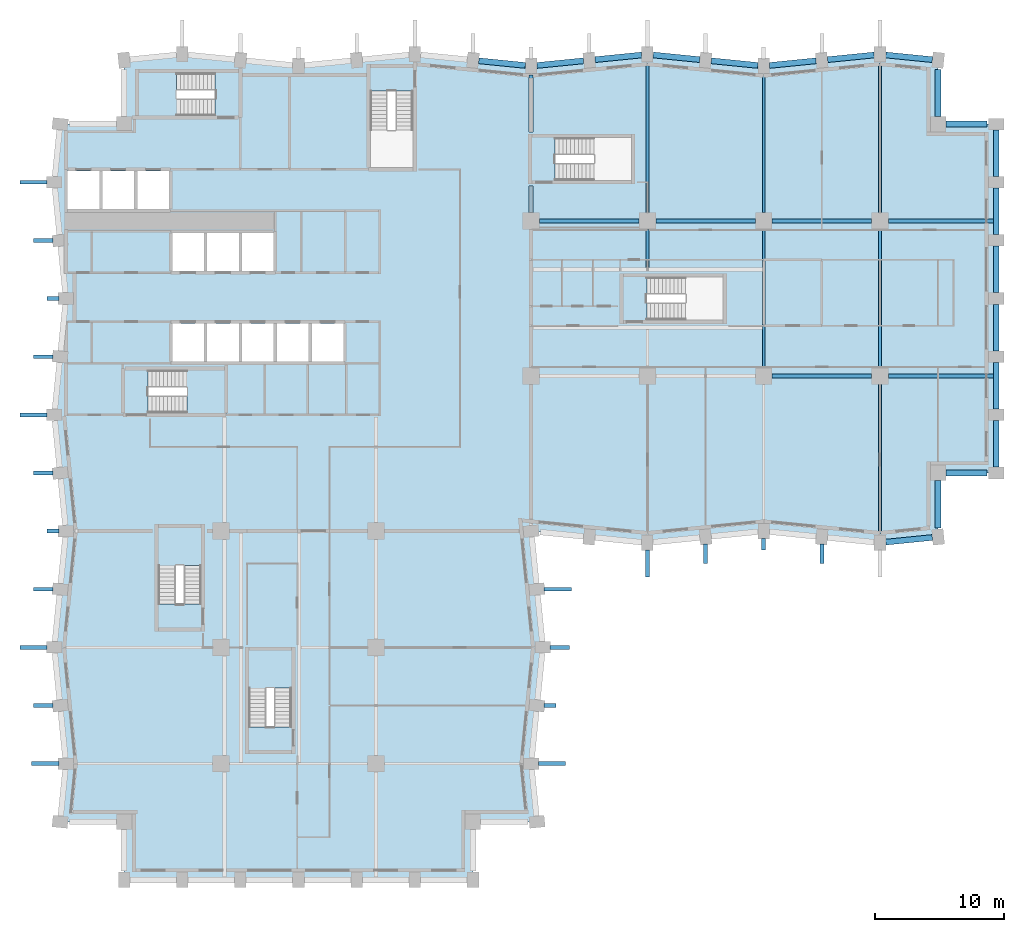
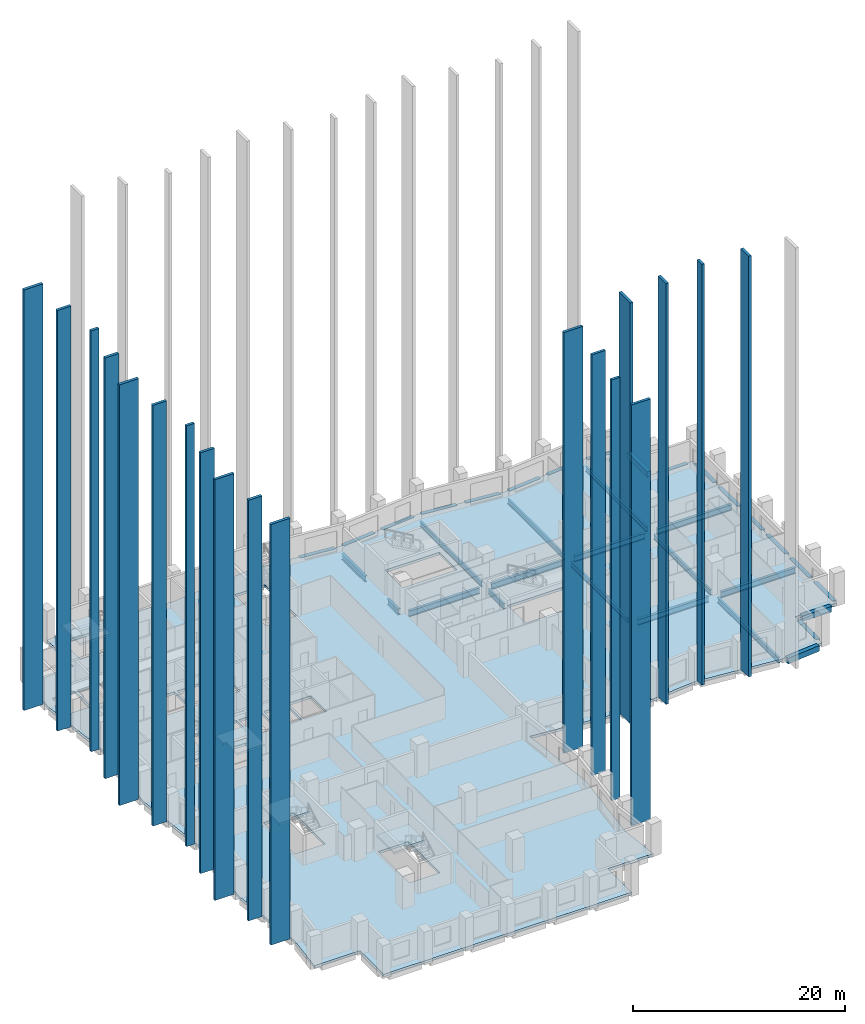
# One storey, part 2 of 12: 34 beams, 19 plates, 5 slabs, 4 elements without a shape of their own.
"""IFC4 building model written with IfcOpenShell, lengths in metres."""

from ifc_helpers import new_model, si_unit, direction, frame, origin, origin_2d, place, context, subcontext, project, spatial, polyline, rectangle, i_section, outline, extrude, material, layer, layer_set, material_profile, profile_set, type_object, element, aggregate, save


model = new_model("IFC4")

# Units and contexts
model_context = context("Model", 3, precision=1e-05, world=origin(), true_north=direction((0.0, 1.0)))
body_context = subcontext(model_context, "Body", "Model", "MODEL_VIEW")
ifc_project = project(units=[si_unit("LENGTHUNIT", "METRE"), si_unit("AREAUNIT", "SQUARE_METRE"), si_unit("VOLUMEUNIT", "CUBIC_METRE"), si_unit("PLANEANGLEUNIT", "RADIAN"), si_unit("MASSUNIT", "GRAM", prefix="KILO")], contexts=[model_context])

# Site, building, storey
site_placement = place(None, origin())
site = spatial("IfcSite", under=ifc_project, at=site_placement, CompositionType="ELEMENT")
building_placement = place(site_placement, origin())
building = spatial("IfcBuilding", under=site, at=building_placement, Name="Brondeck Convention Tower", CompositionType="ELEMENT")
storey_placement = place(building_placement, frame((0.0, 0.0, 88.5)))
storey = spatial("IfcBuildingStorey", under=building, at=storey_placement, Name="L20", CompositionType="ELEMENT", Elevation=88.5)

# Beams
ifc_material_1 = material(Name="Steel S355", Category="steel")
ifc_material_profile_1 = material_profile(ifc_material_1, i_section(OverallWidth=0.219970703125, OverallDepth=0.60009765625, WebThickness=0.011962890625, FlangeThickness=0.01904296875, FilletRadius=0.02392578125, at=origin_2d()), Name="IPE 600")
ifc_profile_set_1 = profile_set([ifc_material_profile_1], Name="Steel S355")
beam_type_1 = type_object("IfcBeamType", Name="Floor beam IPE 600", PredefinedType="BEAM", material=ifc_profile_set_1)
beam_1_placement = place(storey_placement, frame((45.0, 51.64990234375, -0.60009765625), z_axis=(0.0, 1.0, 0.0), x_axis=(-1.0, 0.0, 0.0)))
element("IfcBeam", 1, at=beam_1_placement, inside=storey, type_object=beam_type_1, Name="STR-FB-L20-002", PredefinedType="BEAM", context=body_context, shape_type="SweptSolid", body=[
    extrude(i_section(OverallWidth=0.219970703125, OverallDepth=0.60009765625, WebThickness=0.011962890625, FlangeThickness=0.01904296875, FilletRadius=0.02392578125, at=origin_2d()), origin(), (0.0, 0.0, 1.0), 11.550048828125),
])
beam_2_placement = place(storey_placement, frame((54.0, 39.64990234375, -0.60009765625), z_axis=(0.0, 1.0, 0.0), x_axis=(-1.0, 0.0, 0.0)))
element("IfcBeam", 2, at=beam_2_placement, inside=storey, type_object=beam_type_1, Name="STR-FB-L20-004", PredefinedType="BEAM", context=body_context, shape_type="SweptSolid", body=[
    extrude(i_section(OverallWidth=0.219970703125, OverallDepth=0.60009765625, WebThickness=0.011962890625, FlangeThickness=0.01904296875, FilletRadius=0.02392578125, at=origin_2d()), origin(), (0.0, 0.0, 1.0), 10.7001953125),
])
beam_3_placement = place(storey_placement, frame((54.0, 51.64990234375, -0.60009765625), z_axis=(0.0, 1.0, 0.0), x_axis=(-1.0, 0.0, 0.0)))
element("IfcBeam", 3, at=beam_3_placement, inside=storey, type_object=beam_type_1, Name="STR-FB-L20-005", PredefinedType="BEAM", context=body_context, shape_type="SweptSolid", body=[
    extrude(i_section(OverallWidth=0.219970703125, OverallDepth=0.60009765625, WebThickness=0.011962890625, FlangeThickness=0.01904296875, FilletRadius=0.02392578125, at=origin_2d()), origin(), (0.0, 0.0, 1.0), 10.650146484375),
])
beam_4_placement = place(storey_placement, frame((63.0, 26.800048828125, -0.60009765625), z_axis=(0.0, 1.0, 0.0), x_axis=(-1.0, 0.0, 0.0)))
element("IfcBeam", 4, at=beam_4_placement, inside=storey, type_object=beam_type_1, Name="STR-FB-L20-006", PredefinedType="BEAM", context=body_context, shape_type="SweptSolid", body=[
    extrude(i_section(OverallWidth=0.219970703125, OverallDepth=0.60009765625, WebThickness=0.011962890625, FlangeThickness=0.01904296875, FilletRadius=0.02392578125, at=origin_2d()), origin(), (0.0, 0.0, 1.0), 11.550048828125),
])
beam_5_placement = place(storey_placement, frame((63.0, 39.64990234375, -0.60009765625), z_axis=(0.0, 1.0, 0.0), x_axis=(-1.0, 0.0, 0.0)))
element("IfcBeam", 5, at=beam_5_placement, inside=storey, type_object=beam_type_1, Name="STR-FB-L20-007", PredefinedType="BEAM", context=body_context, shape_type="SweptSolid", body=[
    extrude(i_section(OverallWidth=0.219970703125, OverallDepth=0.60009765625, WebThickness=0.011962890625, FlangeThickness=0.01904296875, FilletRadius=0.02392578125, at=origin_2d()), origin(), (0.0, 0.0, 1.0), 10.7001953125),
])
beam_6_placement = place(storey_placement, frame((63.0, 51.64990234375, -0.60009765625), z_axis=(0.0, 1.0, 0.0), x_axis=(-1.0, 0.0, 0.0)))
element("IfcBeam", 6, at=beam_6_placement, inside=storey, type_object=beam_type_1, Name="STR-FB-L20-008", PredefinedType="BEAM", context=body_context, shape_type="SweptSolid", body=[
    extrude(i_section(OverallWidth=0.219970703125, OverallDepth=0.60009765625, WebThickness=0.011962890625, FlangeThickness=0.01904296875, FilletRadius=0.02392578125, at=origin_2d()), origin(), (0.0, 0.0, 1.0), 11.550048828125),
])
beam_7_placement = place(storey_placement, frame((45.0, 47.39990234375, -0.60009765625), z_axis=(0.0, 1.0, 0.0), x_axis=(-1.0, 0.0, 0.0)))
element("IfcBeam", 7, at=beam_7_placement, inside=storey, type_object=beam_type_1, Name="STR-FB-L20-015", PredefinedType="BEAM", context=body_context, shape_type="SweptSolid", body=[
    extrude(i_section(OverallWidth=0.219970703125, OverallDepth=0.60009765625, WebThickness=0.011962890625, FlangeThickness=0.01904296875, FilletRadius=0.02392578125, at=origin_2d()), origin(), (0.0, 0.0, 1.0), 2.9501953125),
])
ifc_material_profile_2 = material_profile(ifc_material_1, i_section(OverallWidth=0.300048828125, OverallDepth=0.699951171875, WebThickness=0.01708984375, FlangeThickness=0.031982421875, FilletRadius=0.027099609375, at=origin_2d()), Name="HEB 700")
ifc_profile_set_2 = profile_set([ifc_material_profile_2], Name="Steel S355")
beam_type_2 = type_object("IfcBeamType", Name="Girder HEB 700", PredefinedType="BEAM", material=ifc_profile_set_2)
beam_8_placement = place(storey_placement, frame((54.64990234375, 39.0, -0.64990234375), z_axis=(1.0, 0.0, 0.0), x_axis=(0.0, 1.0, 0.0)))
element("IfcBeam", 8, at=beam_8_placement, inside=storey, type_object=beam_type_2, Name="STR-GR-L20-003", PredefinedType="BEAM", context=body_context, shape_type="SweptSolid", body=[
    extrude(i_section(OverallWidth=0.300048828125, OverallDepth=0.699951171875, WebThickness=0.01708984375, FlangeThickness=0.031982421875, FilletRadius=0.027099609375, at=origin_2d()), origin(), (0.0, 0.0, 1.0), 7.7001953125),
])
beam_9_placement = place(storey_placement, frame((63.64990234375, 39.0, -0.64990234375), z_axis=(1.0, 0.0, 0.0), x_axis=(0.0, 1.0, 0.0)))
element("IfcBeam", 9, at=beam_9_placement, inside=storey, type_object=beam_type_2, Name="STR-GR-L20-004", PredefinedType="BEAM", context=body_context, shape_type="SweptSolid", body=[
    extrude(i_section(OverallWidth=0.300048828125, OverallDepth=0.699951171875, WebThickness=0.01708984375, FlangeThickness=0.031982421875, FilletRadius=0.027099609375, at=origin_2d()), origin(), (0.0, 0.0, 1.0), 8.125),
])
for number, where, z_axis, x_axis, name in (
    (10, (36.64990234375, 51.0, -0.64990234375), (1.0, 0.0, 0.0), (0.0, 1.0, 0.0), "STR-GR-L20-005"),
    (11, (45.64990234375, 51.0, -0.64990234375), (1.0, 0.0, 0.0), (0.0, 1.0, 0.0), "STR-GR-L20-006"),
    (12, (54.64990234375, 51.0, -0.64990234375), (1.0, 0.0, 0.0), (0.0, 1.0, 0.0), "STR-GR-L20-007"),
):
    element("IfcBeam", number, at=place(storey_placement, frame(where, z_axis=z_axis, x_axis=x_axis)), inside=storey, type_object=beam_type_2, Name=name, PredefinedType="BEAM", context=body_context, shape_type="SweptSolid", body=[
        extrude(i_section(OverallWidth=0.300048828125, OverallDepth=0.699951171875, WebThickness=0.01708984375, FlangeThickness=0.031982421875, FilletRadius=0.027099609375, at=origin_2d()), origin(), (0.0, 0.0, 1.0), 7.7001953125),
    ])
beam_10_placement = place(storey_placement, frame((63.64990234375, 51.0, -0.64990234375), z_axis=(1.0, 0.0, 0.0), x_axis=(0.0, 1.0, 0.0)))
element("IfcBeam", 13, at=beam_10_placement, inside=storey, type_object=beam_type_2, Name="STR-GR-L20-008", PredefinedType="BEAM", context=body_context, shape_type="SweptSolid", body=[
    extrude(i_section(OverallWidth=0.300048828125, OverallDepth=0.699951171875, WebThickness=0.01708984375, FlangeThickness=0.031982421875, FilletRadius=0.027099609375, at=origin_2d()), origin(), (0.0, 0.0, 1.0), 8.125),
])
beam_11_placement = place(storey_placement, frame((36.0, 51.64990234375, -0.64990234375), z_axis=(0.0, 1.0, 0.0), x_axis=(-1.0, 0.0, 0.0)))
element("IfcBeam", 14, at=beam_11_placement, inside=storey, type_object=beam_type_2, Name="STR-GR-L20-011", PredefinedType="BEAM", context=body_context, shape_type="SweptSolid", body=[
    extrude(i_section(OverallWidth=0.300048828125, OverallDepth=0.699951171875, WebThickness=0.01708984375, FlangeThickness=0.031982421875, FilletRadius=0.027099609375, at=origin_2d()), origin(), (0.0, 0.0, 1.0), 2.050048828125),
])
beam_12_placement = place(storey_placement, frame((36.0, 57.89990234375, -0.64990234375), z_axis=(0.0, 1.0, 0.0), x_axis=(-1.0, 0.0, 0.0)))
element("IfcBeam", 15, at=beam_12_placement, inside=storey, type_object=beam_type_2, Name="STR-GR-L20-012", PredefinedType="BEAM", context=body_context, shape_type="SweptSolid", body=[
    extrude(i_section(OverallWidth=0.300048828125, OverallDepth=0.699951171875, WebThickness=0.01708984375, FlangeThickness=0.031982421875, FilletRadius=0.027099609375, at=origin_2d()), origin(), (0.0, 0.0, 1.0), 4.400146484375),
])
ifc_material_2 = material(Name="Concrete C70/85", Category="concrete")
ifc_material_profile_3 = material_profile(ifc_material_2, rectangle(XDim=0.449951171875, YDim=0.64990234375, at=origin_2d()), Name="Precast spandrel 450x650 Concrete C70/85")
ifc_profile_set_3 = profile_set([ifc_material_profile_3], Name="Concrete C70/85")
beam_type_3 = type_object("IfcBeamType", Name="Precast spandrel 450x650 Concrete C70/85", PredefinedType="SPANDREL", material=ifc_profile_set_3)
beam_13_placement = place(storey_placement, frame((63.449951171875, 26.14501953125, -0.324951171875), z_axis=(0.995040528141, 0.099470334057, 0.0), x_axis=(-0.099470334057, 0.995040528141, 0.0)))
element("IfcBeam", 16, at=beam_13_placement, inside=storey, type_object=beam_type_3, Name="STR-SP-L20-020", PredefinedType="SPANDREL", context=body_context, shape_type="SweptSolid", body=[
    extrude(rectangle(XDim=0.449951171875, YDim=0.64990234375, at=origin_2d()), origin(), (0.0, 0.0, 1.0), 3.620361328125),
])
beam_14_placement = place(storey_placement, frame((67.5, 27.25341796875, -0.324951171875), z_axis=(0.0, 1.0, 0.0), x_axis=(-1.0, 0.0, 0.0)))
element("IfcBeam", 17, at=beam_14_placement, inside=storey, type_object=beam_type_3, Name="STR-SP-L20-021", PredefinedType="SPANDREL", context=body_context, shape_type="SweptSolid", body=[
    extrude(rectangle(XDim=0.449951171875, YDim=0.64990234375, at=origin_2d()), origin(), (0.0, 0.0, 1.0), 3.646484375),
])
beam_15_placement = place(storey_placement, frame((68.10009765625, 31.5, -0.324951171875), z_axis=(1.0, 0.0, 0.0), x_axis=(0.0, 1.0, 0.0)))
element("IfcBeam", 18, at=beam_15_placement, inside=storey, type_object=beam_type_3, Name="STR-SP-L20-022", PredefinedType="SPANDREL", context=body_context, shape_type="SweptSolid", body=[
    extrude(rectangle(XDim=0.449951171875, YDim=0.64990234375, at=origin_2d()), origin(), (0.0, 0.0, 1.0), 3.199951171875),
])
for number, where, z_axis, x_axis, name in (
    (19, (72.0, 31.949951171875, -0.324951171875), (0.0, 1.0, 0.0), (-1.0, 0.0, 0.0), "STR-SP-L20-023"),
    (20, (72.0, 36.449951171875, -0.324951171875), (0.0, 1.0, 0.0), (-1.0, 0.0, 0.0), "STR-SP-L20-024"),
    (21, (72.0, 40.949951171875, -0.324951171875), (0.0, 1.0, 0.0), (-1.0, 0.0, 0.0), "STR-SP-L20-025"),
    (22, (72.0, 45.449951171875, -0.324951171875), (0.0, 1.0, 0.0), (-1.0, 0.0, 0.0), "STR-SP-L20-026"),
    (23, (72.0, 49.949951171875, -0.324951171875), (0.0, 1.0, 0.0), (-1.0, 0.0, 0.0), "STR-SP-L20-027"),
    (24, (72.0, 54.449951171875, -0.324951171875), (0.0, 1.0, 0.0), (-1.0, 0.0, 0.0), "STR-SP-L20-028"),
):
    element("IfcBeam", number, at=place(storey_placement, frame(where, z_axis=z_axis, x_axis=x_axis)), inside=storey, type_object=beam_type_3, Name=name, PredefinedType="SPANDREL", context=body_context, shape_type="SweptSolid", body=[
        extrude(rectangle(XDim=0.449951171875, YDim=0.64990234375, at=origin_2d()), origin(), (0.0, 0.0, 1.0), 3.60009765625),
    ])
beam_16_placement = place(storey_placement, frame((71.300048828125, 58.5, -0.324951171875), z_axis=(-1.0, 0.0, 0.0), x_axis=(0.0, -1.0, 0.0)))
element("IfcBeam", 25, at=beam_16_placement, inside=storey, type_object=beam_type_3, Name="STR-SP-L20-029", PredefinedType="SPANDREL", context=body_context, shape_type="SweptSolid", body=[
    extrude(rectangle(XDim=0.449951171875, YDim=0.64990234375, at=origin_2d()), origin(), (0.0, 0.0, 1.0), 3.199951171875),
])
beam_17_placement = place(storey_placement, frame((67.5, 59.10009765625, -0.324951171875), z_axis=(0.0, 1.0, 0.0), x_axis=(-1.0, 0.0, 0.0)))
element("IfcBeam", 26, at=beam_17_placement, inside=storey, type_object=beam_type_3, Name="STR-SP-L20-030", PredefinedType="SPANDREL", context=body_context, shape_type="SweptSolid", body=[
    extrude(rectangle(XDim=0.449951171875, YDim=0.64990234375, at=origin_2d()), origin(), (0.0, 0.0, 1.0), 3.646484375),
])
for number, where, z_axis, x_axis, name in (
    (27, (67.05224609375, 63.494873046875, -0.324951171875), (-0.995040528141, 0.099470334057, 0.0), (-0.099470334057, -0.995040528141, 0.0), "STR-SP-L20-031"),
    (28, (62.550048828125, 63.85498046875, -0.324951171875), (-0.995040528141, -0.099470334057, 0.0), (0.099470334057, -0.995040528141, 0.0), "STR-SP-L20-032"),
    (29, (58.05224609375, 63.4052734375, -0.324951171875), (-0.995033851182, -0.099537103649, 0.0), (0.099537103649, -0.995033851182, 0.0), "STR-SP-L20-033"),
    (30, (53.550048828125, 63.044921875, -0.324951171875), (-0.995033851182, 0.099537103649, 0.0), (-0.099537103649, -0.995033851182, 0.0), "STR-SP-L20-034"),
    (31, (49.05224609375, 63.494873046875, -0.324951171875), (-0.995040528141, 0.099470334057, 0.0), (-0.099470334057, -0.995040528141, 0.0), "STR-SP-L20-035"),
    (32, (44.550048828125, 63.85498046875, -0.324951171875), (-0.995040528141, -0.099470334057, 0.0), (0.099470334057, -0.995040528141, 0.0), "STR-SP-L20-036"),
    (33, (40.05224609375, 63.4052734375, -0.324951171875), (-0.995033851182, -0.099537103649, 0.0), (0.099537103649, -0.995033851182, 0.0), "STR-SP-L20-037"),
    (34, (35.550048828125, 63.044921875, -0.324951171875), (-0.995033851182, 0.099537103649, 0.0), (-0.099537103649, -0.995033851182, 0.0), "STR-SP-L20-038"),
):
    element("IfcBeam", number, at=place(storey_placement, frame(where, z_axis=z_axis, x_axis=x_axis)), inside=storey, type_object=beam_type_3, Name=name, PredefinedType="SPANDREL", context=body_context, shape_type="SweptSolid", body=[
        extrude(rectangle(XDim=0.449951171875, YDim=0.64990234375, at=origin_2d()), origin(), (0.0, 0.0, 1.0), 3.620361328125),
    ])

# Slab
ifc_material_3 = material(Name="Concrete C35/45", Category="concrete")
ifc_layer_1 = layer(ifc_material_3, 0.300048828125)
ifc_layer_set_1 = layer_set([ifc_layer_1], Name="Composite floor slab 300")
slab_type_1 = type_object("IfcSlabType", Name="Composite floor slab 300", PredefinedType="FLOOR", material=ifc_layer_set_1)
slab_1_placement = place(storey_placement, frame((0.0, 0.0, -0.300048828125)))
element("IfcSlab", 35, at=slab_1_placement, inside=storey, type_object=slab_type_1, Name="STR-SL-L20", PredefinedType="FLOOR", context=body_context, shape_type="SweptSolid", body=[
    extrude(outline(polyline([(4.5, 4.5), (-0.449951171875, 4.5), (0.0, 9.0), (-0.89990234375, 18.0), (0.0, 27.0), (-0.89990234375, 36.0), (0.0, 45.0), (-0.89990234375, 54.0), (-0.449951171875, 58.5), (4.5, 58.5), (4.5, 63.449951171875), (9.0, 63.89990234375), (18.0, 63.0), (27.0, 63.89990234375), (36.0, 63.0), (45.0, 63.89990234375), (54.0, 63.0), (63.0, 63.89990234375), (67.5, 63.449951171875), (67.5, 58.5), (72.0, 58.5), (72.0, 31.5), (67.5, 31.5), (67.5, 26.550048828125), (63.0, 26.10009765625), (54.0, 27.0), (45.0, 26.10009765625), (36.0, 27.0), (36.89990234375, 18.0), (36.0, 9.0), (36.449951171875, 4.5), (31.5, 4.5), (31.5, 0.0), (4.5, 0.0), (4.5, 4.5)]), holes=[polyline([(10.447998046875, 27.248046875), (7.152099609375, 27.248046875), (7.152099609375, 21.35205078125), (10.447998046875, 21.35205078125), (10.447998046875, 27.248046875)]), polyline([(12.248046875, 36.152099609375), (12.248046875, 39.447998046875), (6.35205078125, 39.447998046875), (6.35205078125, 36.152099609375), (12.248046875, 36.152099609375)]), polyline([(10.675048828125, 40.125), (10.675048828125, 43.074951171875), (8.22509765625, 43.074951171875), (8.22509765625, 40.125), (10.675048828125, 40.125)]), polyline([(10.675048828125, 47.125), (10.675048828125, 50.074951171875), (8.22509765625, 50.074951171875), (8.22509765625, 47.125), (10.675048828125, 47.125)]), polyline([(13.375, 47.125), (13.375, 50.074951171875), (10.925048828125, 50.074951171875), (10.925048828125, 47.125), (13.375, 47.125)]), polyline([(2.574951171875, 51.925048828125), (2.574951171875, 54.875), (0.125, 54.875), (0.125, 51.925048828125), (2.574951171875, 51.925048828125)]), polyline([(5.27490234375, 51.925048828125), (5.27490234375, 54.875), (2.824951171875, 54.875), (2.824951171875, 51.925048828125), (5.27490234375, 51.925048828125)]), polyline([(5.52490234375, 51.925048828125), (7.97509765625, 51.925048828125), (7.97509765625, 54.875), (5.52490234375, 54.875), (5.52490234375, 51.925048828125)]), polyline([(11.548095703125, 62.447998046875), (5.652099609375, 62.447998046875), (5.652099609375, 59.152099609375), (11.548095703125, 59.152099609375), (11.548095703125, 62.447998046875)]), polyline([(17.447998046875, 17.748046875), (14.152099609375, 17.748046875), (14.152099609375, 11.85205078125), (17.447998046875, 11.85205078125), (17.447998046875, 17.748046875)]), polyline([(13.375, 40.125), (13.375, 43.074951171875), (10.925048828125, 43.074951171875), (10.925048828125, 40.125), (13.375, 40.125)]), polyline([(16.074951171875, 40.125), (16.074951171875, 43.074951171875), (13.625, 43.074951171875), (13.625, 40.125), (16.074951171875, 40.125)]), polyline([(18.77490234375, 40.125), (18.77490234375, 43.074951171875), (16.324951171875, 43.074951171875), (16.324951171875, 40.125), (18.77490234375, 40.125)]), polyline([(21.47509765625, 40.125), (21.47509765625, 43.074951171875), (19.02490234375, 43.074951171875), (19.02490234375, 40.125), (21.47509765625, 40.125)]), polyline([(50.847900390625, 43.35205078125), (50.847900390625, 46.64794921875), (44.951904296875, 46.64794921875), (44.951904296875, 43.35205078125), (50.847900390625, 43.35205078125)]), polyline([(16.074951171875, 47.125), (16.074951171875, 50.074951171875), (13.625, 50.074951171875), (13.625, 47.125), (16.074951171875, 47.125)]), polyline([(37.85205078125, 54.152099609375), (43.748046875, 54.152099609375), (43.748046875, 57.447998046875), (37.85205078125, 57.447998046875), (37.85205078125, 54.152099609375)]), polyline([(23.552001953125, 61.048095703125), (23.552001953125, 55.152099609375), (26.847900390625, 55.152099609375), (26.847900390625, 61.048095703125), (23.552001953125, 61.048095703125)])]), origin(), (0.0, 0.0, 1.0), 0.300048828125),
])

# Stair, slab
ifc_material_4 = material(Name="Precast concrete C50/60", Category="concrete")
stair_type = type_object("IfcStairType", Name="Core stair 22 risers 172.73 mm riser 300 mm going 1350 wide", PredefinedType="HALF_TURN_STAIR", material=ifc_material_4)
stair_1_placement = place(storey_placement, origin())
stair_1 = element("IfcStair", 36, at=stair_1_placement, inside=storey, type_object=stair_type, Name="ST-1 L20 stair", PredefinedType="HALF_TURN_STAIR")
ifc_layer_2 = layer(ifc_material_4, 0.25)
ifc_layer_set_2 = layer_set([ifc_layer_2], Name="Core stair landing 250 Precast concrete C50/60")
slab_type_2 = type_object("IfcSlabType", Name="Core stair landing 250 Precast concrete C50/60", PredefinedType="LANDING", material=ifc_layer_set_2)
slab_2_placement = place(storey_placement, frame((0.0, 0.0, 1.64990234375)))
slab_2 = element("IfcSlab", 37, at=slab_2_placement, type_object=slab_type_2, Name="ST-1 landing 1", PredefinedType="LANDING", context=body_context, shape_type="SweptSolid", body=[
    extrude(outline(polyline([(9.347900390625, 37.5), (9.35009765625, 37.5), (9.35009765625, 38.10009765625), (9.050048828125, 38.10009765625), (9.050048828125, 39.570068359375), (12.3701171875, 39.570068359375), (12.3701171875, 36.030029296875), (9.347900390625, 36.030029296875), (9.347900390625, 37.5)])), origin(), (0.0, 0.0, 1.0), 0.25),
])
aggregate(stair_1, [slab_2])

stair_2_placement = place(storey_placement, origin())
stair_2 = element("IfcStair", 38, at=stair_2_placement, inside=storey, type_object=stair_type, Name="ST-3 L20 stair", PredefinedType="HALF_TURN_STAIR")
slab_3_placement = place(storey_placement, frame((0.0, 0.0, 1.64990234375)))
slab_3 = element("IfcSlab", 39, at=slab_3_placement, type_object=slab_type_2, Name="ST-3 landing 1", PredefinedType="LANDING", context=body_context, shape_type="SweptSolid", body=[
    extrude(outline(polyline([(8.85009765625, 60.5), (8.85009765625, 59.030029296875), (5.530029296875, 59.030029296875), (5.530029296875, 62.570068359375), (8.552001953125, 62.570068359375), (8.552001953125, 61.10009765625), (8.550048828125, 61.10009765625), (8.550048828125, 60.5), (8.85009765625, 60.5)])), origin(), (0.0, 0.0, 1.0), 0.25),
])
aggregate(stair_2, [slab_3])

stair_3_placement = place(storey_placement, origin())
stair_3 = element("IfcStair", 40, at=stair_3_placement, inside=storey, type_object=stair_type, Name="ST-BE L20 stair", PredefinedType="HALF_TURN_STAIR")
slab_4_placement = place(storey_placement, frame((0.0, 0.0, 1.64990234375)))
slab_4 = element("IfcSlab", 41, at=slab_4_placement, type_object=slab_type_2, Name="ST-BE landing 1", PredefinedType="LANDING", context=body_context, shape_type="SweptSolid", body=[
    extrude(outline(polyline([(7.030029296875, 24.050048828125), (7.030029296875, 27.3701171875), (10.570068359375, 27.3701171875), (10.570068359375, 24.347900390625), (9.10009765625, 24.347900390625), (9.10009765625, 24.35009765625), (8.5, 24.35009765625), (8.5, 24.050048828125), (7.030029296875, 24.050048828125)])), origin(), (0.0, 0.0, 1.0), 0.25),
])
aggregate(stair_3, [slab_4])

stair_4_placement = place(storey_placement, origin())
stair_4 = element("IfcStair", 42, at=stair_4_placement, inside=storey, type_object=stair_type, Name="ST-BF L20 stair", PredefinedType="HALF_TURN_STAIR")
slab_5_placement = place(storey_placement, frame((0.0, 0.0, 1.64990234375)))
slab_5 = element("IfcSlab", 43, at=slab_5_placement, type_object=slab_type_2, Name="ST-BF landing 1", PredefinedType="LANDING", context=body_context, shape_type="SweptSolid", body=[
    extrude(outline(polyline([(14.030029296875, 14.550048828125), (14.030029296875, 17.8701171875), (17.570068359375, 17.8701171875), (17.570068359375, 14.847900390625), (16.10009765625, 14.847900390625), (16.10009765625, 14.85009765625), (15.5, 14.85009765625), (15.5, 14.550048828125), (14.030029296875, 14.550048828125)])), origin(), (0.0, 0.0, 1.0), 0.25),
])
aggregate(stair_4, [slab_5])

# Plates
ifc_layer_3 = layer(ifc_material_4, 0.300048828125)
ifc_layer_set_3 = layer_set([ifc_layer_3], Name="Facade fin FN1 300 x 900 Precast concrete C50/60")
plate_type_1 = type_object("IfcPlateType", Name="Facade fin FN1 300 x 900 Precast concrete C50/60", PredefinedType="USERDEFINED", material=ifc_layer_set_3)
plate_1_placement = place(storey_placement, frame((0.0, 0.0, 0.5)))
element("IfcPlate", 44, at=plate_1_placement, inside=storey, type_object=plate_type_1, Name="ENV-FN-B-E-Z2-03", ObjectType="FIN", PredefinedType="USERDEFINED", context=body_context, shape_type="SweptSolid", body=[
    extrude(outline(polyline([(37.909912109375, 13.64990234375), (37.010009765625, 13.64990234375), (37.010009765625, 13.35009765625), (37.909912109375, 13.35009765625), (37.909912109375, 13.64990234375)])), origin(), (0.0, 0.0, 1.0), 48.39990234375),
])
plate_2_placement = place(storey_placement, frame((0.0, 0.0, 0.5)))
element("IfcPlate", 45, at=plate_2_placement, inside=storey, type_object=plate_type_1, Name="ENV-FN-A-S-Z2-04", ObjectType="FIN", PredefinedType="USERDEFINED", context=body_context, shape_type="SweptSolid", body=[
    extrude(outline(polyline([(54.14990234375, 25.5400390625), (54.14990234375, 26.43994140625), (53.85009765625, 26.43994140625), (53.85009765625, 25.5400390625), (54.14990234375, 25.5400390625)])), origin(), (0.0, 0.0, 1.0), 48.39990234375),
])
plate_3_placement = place(storey_placement, frame((0.0, 0.0, 0.5)))
element("IfcPlate", 46, at=plate_3_placement, inside=storey, type_object=plate_type_1, Name="ENV-FN-B-W-Z2-04", ObjectType="FIN", PredefinedType="USERDEFINED", context=body_context, shape_type="SweptSolid", body=[
    extrude(outline(polyline([(-1.4599609375, 44.85009765625), (-0.56005859375, 44.85009765625), (-0.56005859375, 45.14990234375), (-1.4599609375, 45.14990234375), (-1.4599609375, 44.85009765625)])), origin(), (0.0, 0.0, 1.0), 48.39990234375),
])
plate_4_placement = place(storey_placement, frame((0.0, 0.0, 0.5)))
element("IfcPlate", 47, at=plate_4_placement, inside=storey, type_object=plate_type_1, Name="ENV-FN-B-W-Z2-08", ObjectType="FIN", PredefinedType="USERDEFINED", context=body_context, shape_type="SweptSolid", body=[
    extrude(outline(polyline([(-1.4599609375, 26.85009765625), (-0.56005859375, 26.85009765625), (-0.56005859375, 27.14990234375), (-1.4599609375, 27.14990234375), (-1.4599609375, 26.85009765625)])), origin(), (0.0, 0.0, 1.0), 48.39990234375),
])
ifc_layer_4 = layer(ifc_material_4, 0.300048828125)
ifc_layer_set_4 = layer_set([ifc_layer_4], Name="Facade fin FN2 300 x 1500 Precast concrete C50/60")
plate_type_2 = type_object("IfcPlateType", Name="Facade fin FN2 300 x 1500 Precast concrete C50/60", PredefinedType="USERDEFINED", material=ifc_layer_set_4)
plate_5_placement = place(storey_placement, frame((0.0, 0.0, 0.5)))
element("IfcPlate", 48, at=plate_5_placement, inside=storey, type_object=plate_type_2, Name="ENV-FN-B-E-Z2-02", ObjectType="FIN", PredefinedType="USERDEFINED", context=body_context, shape_type="SweptSolid", body=[
    extrude(outline(polyline([(38.9599609375, 18.14990234375), (37.4599609375, 18.14990234375), (37.4599609375, 17.85009765625), (38.9599609375, 17.85009765625), (38.9599609375, 18.14990234375)])), origin(), (0.0, 0.0, 1.0), 48.39990234375),
])
plate_6_placement = place(storey_placement, frame((0.0, 0.0, 0.5)))
element("IfcPlate", 49, at=plate_6_placement, inside=storey, type_object=plate_type_2, Name="ENV-FN-A-S-Z2-03", ObjectType="FIN", PredefinedType="USERDEFINED", context=body_context, shape_type="SweptSolid", body=[
    extrude(outline(polyline([(49.64990234375, 24.489990234375), (49.64990234375, 25.989990234375), (49.35009765625, 25.989990234375), (49.35009765625, 24.489990234375), (49.64990234375, 24.489990234375)])), origin(), (0.0, 0.0, 1.0), 48.39990234375),
])
plate_7_placement = place(storey_placement, frame((0.0, 0.0, 0.5)))
element("IfcPlate", 50, at=plate_7_placement, inside=storey, type_object=plate_type_2, Name="ENV-FN-A-S-Z2-05", ObjectType="FIN", PredefinedType="USERDEFINED", context=body_context, shape_type="SweptSolid", body=[
    extrude(outline(polyline([(58.64990234375, 24.489990234375), (58.64990234375, 25.989990234375), (58.35009765625, 25.989990234375), (58.35009765625, 24.489990234375), (58.64990234375, 24.489990234375)])), origin(), (0.0, 0.0, 1.0), 48.39990234375),
])
plate_8_placement = place(storey_placement, frame((0.0, 0.0, 0.5)))
element("IfcPlate", 51, at=plate_8_placement, inside=storey, type_object=plate_type_2, Name="ENV-FN-B-W-Z2-03", ObjectType="FIN", PredefinedType="USERDEFINED", context=body_context, shape_type="SweptSolid", body=[
    extrude(outline(polyline([(-2.510009765625, 49.35009765625), (-1.010009765625, 49.35009765625), (-1.010009765625, 49.64990234375), (-2.510009765625, 49.64990234375), (-2.510009765625, 49.35009765625)])), origin(), (0.0, 0.0, 1.0), 48.39990234375),
])
plate_9_placement = place(storey_placement, frame((0.0, 0.0, 0.5)))
element("IfcPlate", 52, at=plate_9_placement, inside=storey, type_object=plate_type_2, Name="ENV-FN-B-W-Z2-05", ObjectType="FIN", PredefinedType="USERDEFINED", context=body_context, shape_type="SweptSolid", body=[
    extrude(outline(polyline([(-2.510009765625, 40.35009765625), (-1.010009765625, 40.35009765625), (-1.010009765625, 40.64990234375), (-2.510009765625, 40.64990234375), (-2.510009765625, 40.35009765625)])), origin(), (0.0, 0.0, 1.0), 48.39990234375),
])
plate_10_placement = place(storey_placement, frame((0.0, 0.0, 0.5)))
element("IfcPlate", 53, at=plate_10_placement, inside=storey, type_object=plate_type_2, Name="ENV-FN-B-W-Z2-07", ObjectType="FIN", PredefinedType="USERDEFINED", context=body_context, shape_type="SweptSolid", body=[
    extrude(outline(polyline([(-2.510009765625, 31.35009765625), (-1.010009765625, 31.35009765625), (-1.010009765625, 31.64990234375), (-2.510009765625, 31.64990234375), (-2.510009765625, 31.35009765625)])), origin(), (0.0, 0.0, 1.0), 48.39990234375),
])
plate_11_placement = place(storey_placement, frame((0.0, 0.0, 0.5)))
element("IfcPlate", 54, at=plate_11_placement, inside=storey, type_object=plate_type_2, Name="ENV-FN-B-W-Z2-09", ObjectType="FIN", PredefinedType="USERDEFINED", context=body_context, shape_type="SweptSolid", body=[
    extrude(outline(polyline([(-2.510009765625, 22.35009765625), (-1.010009765625, 22.35009765625), (-1.010009765625, 22.64990234375), (-2.510009765625, 22.64990234375), (-2.510009765625, 22.35009765625)])), origin(), (0.0, 0.0, 1.0), 48.39990234375),
])
plate_12_placement = place(storey_placement, frame((0.0, 0.0, 0.5)))
element("IfcPlate", 55, at=plate_12_placement, inside=storey, type_object=plate_type_2, Name="ENV-FN-B-W-Z2-11", ObjectType="FIN", PredefinedType="USERDEFINED", context=body_context, shape_type="SweptSolid", body=[
    extrude(outline(polyline([(-2.510009765625, 13.35009765625), (-1.010009765625, 13.35009765625), (-1.010009765625, 13.64990234375), (-2.510009765625, 13.64990234375), (-2.510009765625, 13.35009765625)])), origin(), (0.0, 0.0, 1.0), 48.39990234375),
])
ifc_layer_5 = layer(ifc_material_4, 0.300048828125)
ifc_layer_set_5 = layer_set([ifc_layer_5], Name="Facade fin FN3 300 x 2100 Precast concrete C50/60")
plate_type_3 = type_object("IfcPlateType", Name="Facade fin FN3 300 x 2100 Precast concrete C50/60", PredefinedType="USERDEFINED", material=ifc_layer_set_5)
plate_13_placement = place(storey_placement, frame((0.0, 0.0, 0.5)))
element("IfcPlate", 56, at=plate_13_placement, inside=storey, type_object=plate_type_3, Name="ENV-FN-B-E-Z2-01", ObjectType="FIN", PredefinedType="USERDEFINED", context=body_context, shape_type="SweptSolid", body=[
    extrude(outline(polyline([(39.110107421875, 22.64990234375), (37.010009765625, 22.64990234375), (37.010009765625, 22.35009765625), (39.110107421875, 22.35009765625), (39.110107421875, 22.64990234375)])), origin(), (0.0, 0.0, 1.0), 48.39990234375),
])
plate_14_placement = place(storey_placement, frame((0.0, 0.0, 0.5)))
element("IfcPlate", 57, at=plate_14_placement, inside=storey, type_object=plate_type_3, Name="ENV-FN-B-E-Z2-04", ObjectType="FIN", PredefinedType="USERDEFINED", context=body_context, shape_type="SweptSolid", body=[
    extrude(outline(polyline([(38.659912109375, 9.14990234375), (36.56005859375, 9.14990234375), (36.56005859375, 8.85009765625), (38.659912109375, 8.85009765625), (38.659912109375, 9.14990234375)])), origin(), (0.0, 0.0, 1.0), 48.39990234375),
])
plate_15_placement = place(storey_placement, frame((0.0, 0.0, 0.5)))
element("IfcPlate", 58, at=plate_15_placement, inside=storey, type_object=plate_type_3, Name="ENV-FN-A-S-Z2-02", ObjectType="FIN", PredefinedType="USERDEFINED", context=body_context, shape_type="SweptSolid", body=[
    extrude(outline(polyline([(45.14990234375, 23.43994140625), (45.14990234375, 25.5400390625), (44.85009765625, 25.5400390625), (44.85009765625, 23.43994140625), (45.14990234375, 23.43994140625)])), origin(), (0.0, 0.0, 1.0), 48.39990234375),
])
plate_16_placement = place(storey_placement, frame((0.0, 0.0, 0.5)))
element("IfcPlate", 59, at=plate_16_placement, inside=storey, type_object=plate_type_3, Name="ENV-FN-B-W-Z2-02", ObjectType="FIN", PredefinedType="USERDEFINED", context=body_context, shape_type="SweptSolid", body=[
    extrude(outline(polyline([(-3.56005859375, 53.85009765625), (-1.4599609375, 53.85009765625), (-1.4599609375, 54.14990234375), (-3.56005859375, 54.14990234375), (-3.56005859375, 53.85009765625)])), origin(), (0.0, 0.0, 1.0), 48.39990234375),
])
plate_17_placement = place(storey_placement, frame((0.0, 0.0, 0.5)))
element("IfcPlate", 60, at=plate_17_placement, inside=storey, type_object=plate_type_3, Name="ENV-FN-B-W-Z2-06", ObjectType="FIN", PredefinedType="USERDEFINED", context=body_context, shape_type="SweptSolid", body=[
    extrude(outline(polyline([(-3.56005859375, 35.85009765625), (-1.4599609375, 35.85009765625), (-1.4599609375, 36.14990234375), (-3.56005859375, 36.14990234375), (-3.56005859375, 35.85009765625)])), origin(), (0.0, 0.0, 1.0), 48.39990234375),
])
plate_18_placement = place(storey_placement, frame((0.0, 0.0, 0.5)))
element("IfcPlate", 61, at=plate_18_placement, inside=storey, type_object=plate_type_3, Name="ENV-FN-B-W-Z2-10", ObjectType="FIN", PredefinedType="USERDEFINED", context=body_context, shape_type="SweptSolid", body=[
    extrude(outline(polyline([(-3.56005859375, 17.85009765625), (-1.4599609375, 17.85009765625), (-1.4599609375, 18.14990234375), (-3.56005859375, 18.14990234375), (-3.56005859375, 17.85009765625)])), origin(), (0.0, 0.0, 1.0), 48.39990234375),
])
plate_19_placement = place(storey_placement, frame((0.0, 0.0, 0.5)))
element("IfcPlate", 62, at=plate_19_placement, inside=storey, type_object=plate_type_3, Name="ENV-FN-B-W-Z2-12", ObjectType="FIN", PredefinedType="USERDEFINED", context=body_context, shape_type="SweptSolid", body=[
    extrude(outline(polyline([(-2.659912109375, 8.85009765625), (-0.56005859375, 8.85009765625), (-0.56005859375, 9.14990234375), (-2.659912109375, 9.14990234375), (-2.659912109375, 8.85009765625)])), origin(), (0.0, 0.0, 1.0), 48.39990234375),
])

save(model, "model.ifc")
